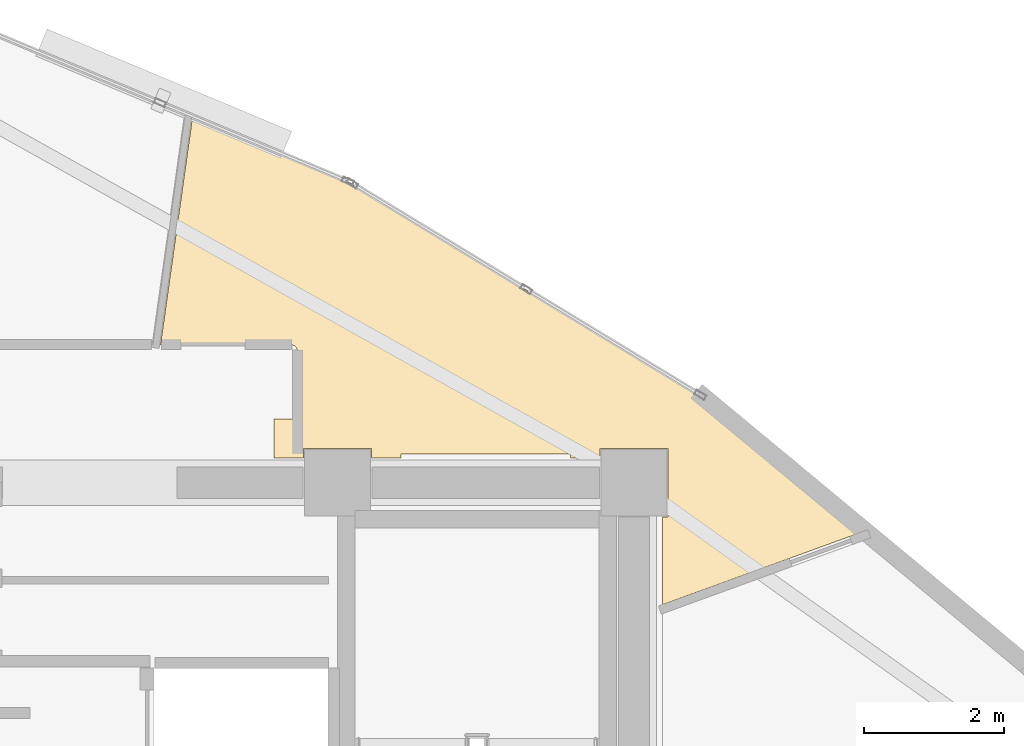
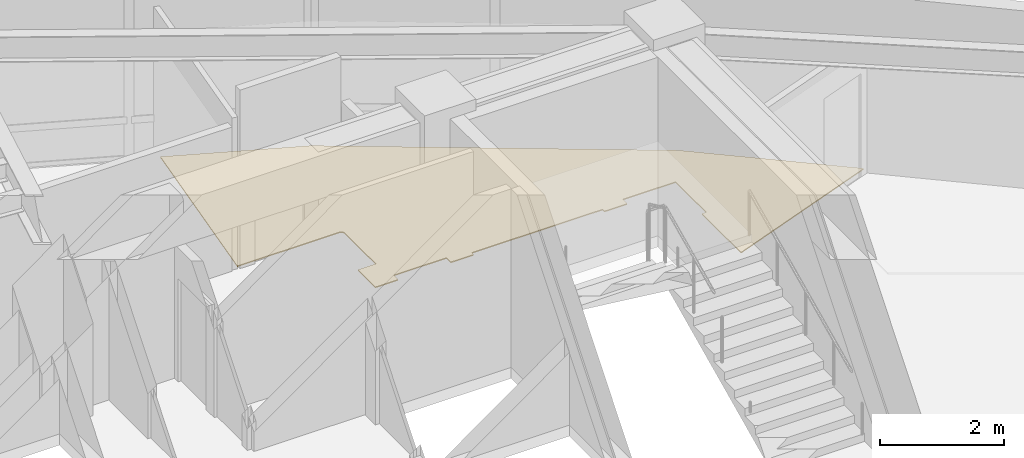
# One storey, part 16 of 16: 1 covering.
"""IFC4 building model written with IfcOpenShell, lengths in metres."""

from ifc_helpers import new_model, si_unit, direction, frame, origin, place, context, subcontext, project, spatial, polyline, outline, extrude, material, layer, layer_set, type_object, element, save


model = new_model("IFC4")

# Units and contexts
model_context = context("Model", 3, precision=1e-05, world=origin(), true_north=direction((0.0, 1.0)))
body_context = subcontext(model_context, "Body", "Model", "MODEL_VIEW")
ifc_project = project(units=[si_unit("LENGTHUNIT", "METRE"), si_unit("AREAUNIT", "SQUARE_METRE"), si_unit("VOLUMEUNIT", "CUBIC_METRE"), si_unit("PLANEANGLEUNIT", "RADIAN"), si_unit("MASSUNIT", "GRAM", prefix="KILO")], contexts=[model_context])

# Site, building, storey
site_placement = place(None, origin())
site = spatial("IfcSite", under=ifc_project, at=site_placement, CompositionType="ELEMENT")
building_placement = place(site_placement, origin())
building = spatial("IfcBuilding", under=site, at=building_placement, Name="Menara Vayukalpa", CompositionType="ELEMENT")
storey_placement = place(building_placement, frame((0.0, 0.0, 280.6201171875)))
storey = spatial("IfcBuildingStorey", under=building, at=storey_placement, Name="L71", CompositionType="ELEMENT", Elevation=280.6201171875)

# Covering
ifc_material = material(Name="Porcelain Stoneware Floor Tile", Category="masonry")
ifc_layer = layer(ifc_material, 0.02001953125)
ifc_layer_set = layer_set([ifc_layer], Name="Porcelain Stoneware Floor Tile")
covering_type = type_object("IfcCoveringType", Name="COV-FLR1", PredefinedType="FLOORING", material=ifc_layer_set)
covering_placement = place(storey_placement, origin())
element("IfcCovering", 1, at=covering_placement, inside=storey, type_object=covering_type, Name="L71 Client Conference Room Porcelain Flooring", PredefinedType="FLOORING", context=body_context, shape_type="SweptSolid", body=[
    extrude(outline(polyline([(28.570068359375, 28.69970703125), (28.569580078125, 28.706787109375), (28.568603515625, 28.713623046875), (28.56689453125, 28.72021484375), (28.564697265625, 28.726806640625), (28.561767578125, 28.73291015625), (28.55810546875, 28.73876953125), (28.553955078125, 28.744384765625), (28.549560546875, 28.74951171875), (28.54443359375, 28.75390625), (28.538818359375, 28.75830078125), (28.532958984375, 28.76171875), (28.52685546875, 28.7646484375), (28.520263671875, 28.76708984375), (28.513671875, 28.768798828125), (28.5068359375, 28.76953125), (28.499755859375, 28.77001953125), (26.62353515625, 28.77001953125), (26.62255859375, 28.77001953125), (26.62158203125, 28.770263671875), (26.62060546875, 28.7705078125), (26.61962890625, 28.770751953125), (26.618896484375, 28.771240234375), (26.617919921875, 28.771728515625), (26.6171875, 28.7724609375), (26.616455078125, 28.773193359375), (26.61572265625, 28.773681640625), (26.615234375, 28.774658203125), (26.61474609375, 28.775390625), (26.6142578125, 28.7763671875), (26.614013671875, 28.77734375), (26.61376953125, 28.7783203125), (26.613525390625, 28.779296875), (26.613525390625, 28.780517578125), (26.61376953125, 28.781494140625), (27.06982421875, 32.02685546875), (27.070068359375, 32.027587890625), (27.0703125, 32.02880859375), (27.070556640625, 32.029541015625), (27.071044921875, 32.030517578125), (27.071533203125, 32.03125), (27.072265625, 32.031982421875), (27.07275390625, 32.03271484375), (27.073486328125, 32.033203125), (27.07421875, 32.03369140625), (27.0751953125, 32.0341796875), (27.076171875, 32.03466796875), (27.076904296875, 32.034912109375), (27.077880859375, 32.03515625), (27.078857421875, 32.035400390625), (27.079833984375, 32.035400390625), (27.080810546875, 32.035400390625), (27.081787109375, 32.03515625), (27.082763671875, 32.034912109375), (27.08349609375, 32.03466796875), (29.32568359375, 31.0966796875), (29.326416015625, 31.09619140625), (29.3271484375, 31.095947265625), (34.37353515625, 28.030517578125), (34.374755859375, 28.02978515625), (36.684326171875, 26.1142578125), (36.68505859375, 26.113525390625), (36.685791015625, 26.11279296875), (36.686279296875, 26.112060546875), (36.68701171875, 26.111083984375), (36.687255859375, 26.1103515625), (36.6875, 26.109375), (36.687744140625, 26.1083984375), (36.68798828125, 26.107421875), (36.68798828125, 26.1064453125), (36.68798828125, 26.10546875), (36.687744140625, 26.1044921875), (36.6875, 26.103515625), (36.68701171875, 26.1025390625), (36.686767578125, 26.1015625), (36.68603515625, 26.100830078125), (36.685546875, 26.10009765625), (36.684814453125, 26.099365234375), (36.68408203125, 26.0986328125), (36.68310546875, 26.09814453125), (36.682373046875, 26.09765625), (36.681396484375, 26.09716796875), (33.823486328125, 25.056884765625), (33.822509765625, 25.056640625), (33.821533203125, 25.056396484375), (33.820556640625, 25.056396484375), (33.819580078125, 25.056396484375), (33.818603515625, 25.056396484375), (33.81787109375, 25.056640625), (33.81689453125, 25.056884765625), (33.81591796875, 25.05712890625), (33.815185546875, 25.0576171875), (33.814208984375, 25.05810546875), (33.8134765625, 25.05859375), (33.812744140625, 25.059326171875), (33.812255859375, 25.06005859375), (33.8115234375, 25.060791015625), (33.81103515625, 25.061767578125), (33.810791015625, 25.0625), (33.810302734375, 25.0634765625), (33.810302734375, 25.064453125), (33.81005859375, 25.065185546875), (33.81005859375, 25.06640625), (33.81005859375, 26.31005859375), (33.889892578125, 26.31005859375), (33.889892578125, 27.2900390625), (32.909912109375, 27.2900390625), (32.909912109375, 27.14990234375), (32.489990234375, 27.14990234375), (32.489990234375, 27.2099609375), (30.06005859375, 27.2099609375), (30.06005859375, 27.14990234375), (29.639892578125, 27.14990234375), (29.639892578125, 27.2900390625), (28.659912109375, 27.2900390625), (28.659912109375, 27.14990234375), (28.239990234375, 27.14990234375), (28.239990234375, 27.7099609375), (28.570068359375, 27.7099609375), (28.570068359375, 28.69970703125)])), origin(), (0.0, 0.0, 1.0), 0.019775390625),
])

save(model, "model.ifc")
